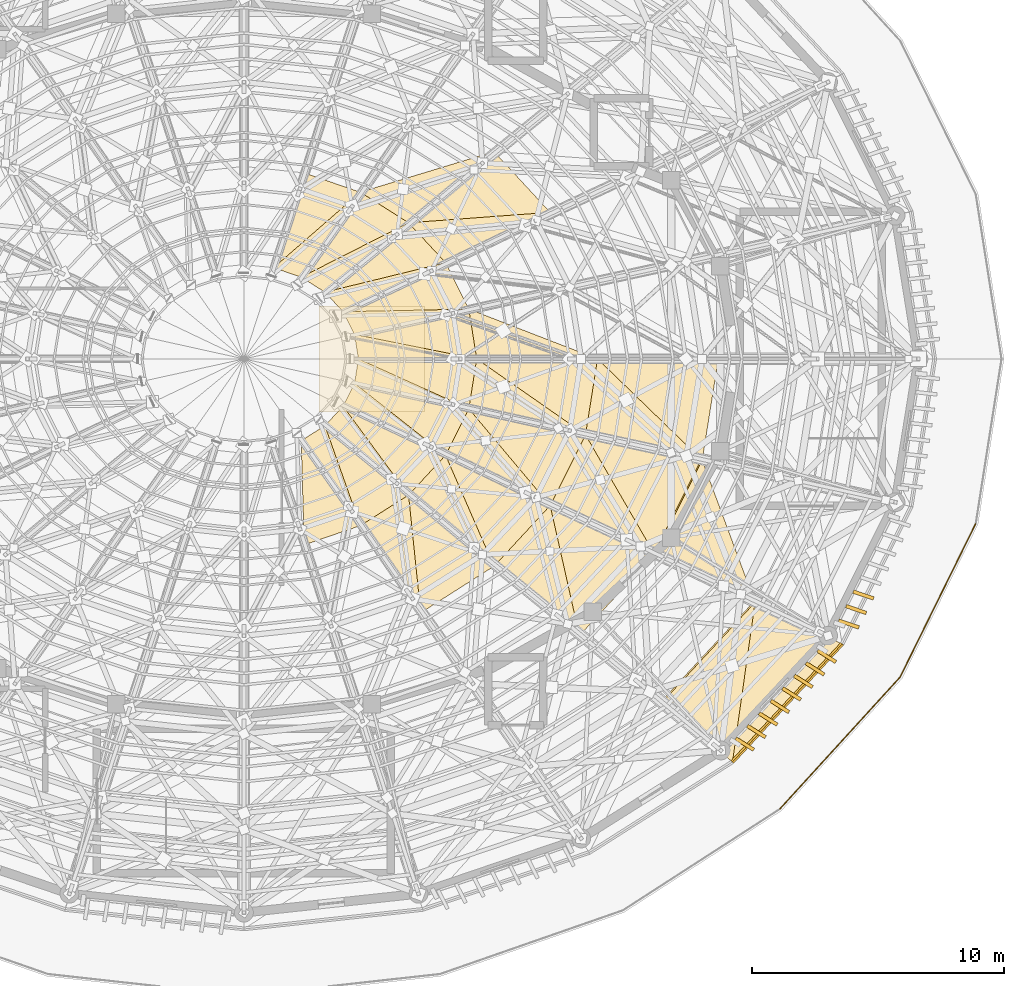
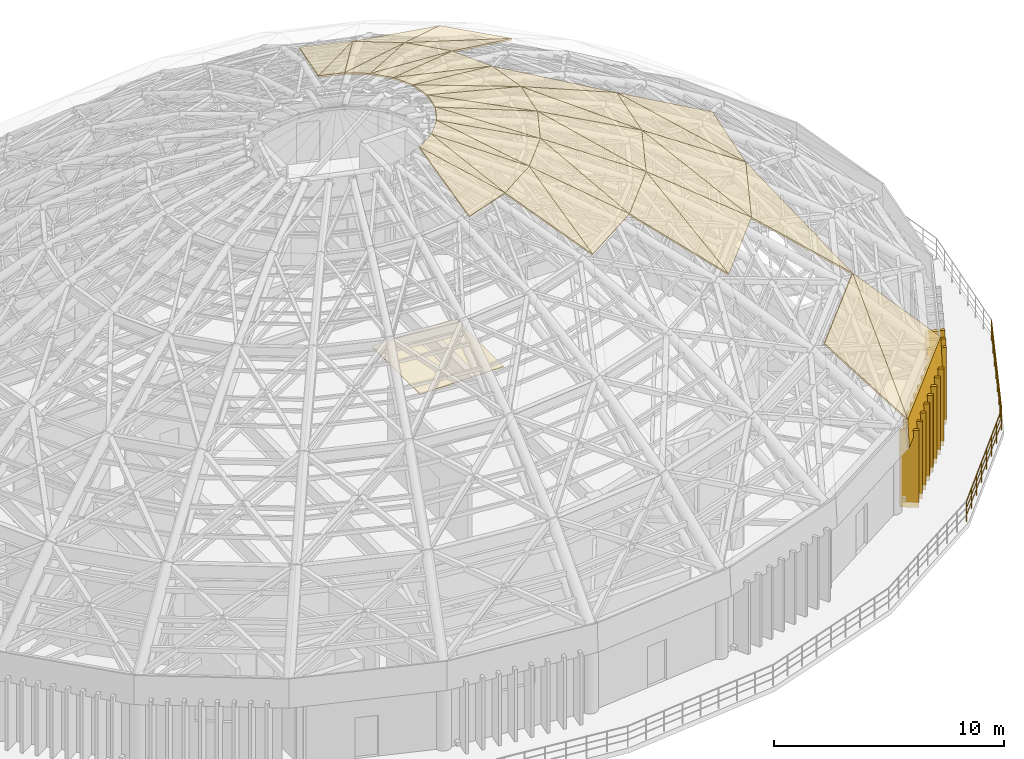
# One storey, part 46 of 50: 42 coverings, 11 shading devices, 2 railings, 6 elements without a shape of their own.
"""IFC4 building model written with IfcOpenShell, lengths in metres."""

from ifc_helpers import new_model, si_unit, direction, frame, origin, origin_2d, place, context, subcontext, project, spatial, polyline, rectangle, circle, outline, extrude, material, layer, layer_set, type_object, element, aggregate, save


model = new_model("IFC4")

# Units and contexts
model_context = context("Model", 3, precision=1e-05, world=origin(), true_north=direction((0.0, 1.0)))
body_context = subcontext(model_context, "Body", "Model", "MODEL_VIEW")
ifc_project = project(units=[si_unit("LENGTHUNIT", "METRE"), si_unit("AREAUNIT", "SQUARE_METRE"), si_unit("VOLUMEUNIT", "CUBIC_METRE"), si_unit("PLANEANGLEUNIT", "RADIAN"), si_unit("MASSUNIT", "GRAM", prefix="KILO")], contexts=[model_context])

# Site, building, storey
site_placement = place(None, origin())
site = spatial("IfcSite", under=ifc_project, at=site_placement, CompositionType="ELEMENT")
building_placement = place(site_placement, origin())
building = spatial("IfcBuilding", under=site, at=building_placement, Name="Cinderbank Siding Concert Hall", CompositionType="ELEMENT")
storey_placement = place(building_placement, frame((0.0, 0.0, 23.699951171875)))
storey = spatial("IfcBuildingStorey", under=building, at=storey_placement, Name="L06", CompositionType="ELEMENT", Elevation=23.699951171875)

# Covering
ifc_material_1 = material(Name="Spotted gum glulam timber GL18 (42 MPa)", Category="wood")
ifc_layer_1 = layer(ifc_material_1, 0.044921875)
ifc_layer_set_1 = layer_set([ifc_layer_1], Name="Spotted gum glulam timber GL18 (42 MPa)")
covering_type_1 = type_object("IfcCoveringType", Name="CLG-01 Perforated Timber Acoustic Ceiling", PredefinedType="CEILING", material=ifc_layer_set_1)
covering_1_placement = place(storey_placement, frame((127.072998046875, 44.0, 3.5595703125), z_axis=(0.0, 0.0, 1.0), x_axis=(1.0, 0.0, 0.0)))
element("IfcCovering", 1, at=covering_1_placement, inside=storey, type_object=covering_type_1, Name="Main Hall Timber Acoustic Reflector #3", PredefinedType="CEILING", context=body_context, shape_type="SweptSolid", body=[
    extrude(rectangle(XDim=4.199951171875, YDim=4.199951171875, at=origin_2d()), origin(), (0.0, 0.0, 1.0), 0.044921875),
])

# Railings
ifc_material_2 = material(Name="Structural steel AS/NZS 3679.1 Grade 350 (340 MPa)", Category="steel")
railing_type = type_object("IfcRailingType", Name="GD-01 Terrace & Perimeter Guardrail 1120mm", PredefinedType="GUARDRAIL", material=ifc_material_2)
railing_1_placement = place(storey_placement, frame((151.07470703125, 37.45654296875, 0.0)))
element("IfcRailing", 2, at=railing_1_placement, inside=storey, type_object=railing_type, Name="L06 Perimeter Guardrail #152", PredefinedType="GUARDRAIL", context=body_context, shape_type="SweptSolid", body=[
    extrude(circle(Radius=0.02392578125, at=origin_2d()), frame((0.0, 0.0, 1.09619140625), z_axis=(-0.441833864592, -0.897096893373, 0.0), x_axis=(0.897096893373, -0.441833864592, 0.0)), (0.0, 0.0, 1.0), 6.79931640625),
    extrude(circle(Radius=0.01611328125, at=origin_2d()), frame((0.0, 0.0, 0.36962890625), z_axis=(-0.441833864592, -0.897096893373, 0.0), x_axis=(0.897096893373, -0.441833864592, 0.0)), (0.0, 0.0, 1.0), 6.79931640625),
    extrude(circle(Radius=0.01611328125, at=origin_2d()), frame((0.0, 0.0, 0.7392578125), z_axis=(-0.441833864592, -0.897096893373, 0.0), x_axis=(0.897096893373, -0.441833864592, 0.0)), (0.0, 0.0, 1.0), 6.79931640625),
    extrude(circle(Radius=0.02099609375, at=origin_2d()), origin(), (0.0, 0.0, 1.0), 1.072021484375),
    extrude(circle(Radius=0.02099609375, at=origin_2d()), frame((-0.42919921875, -0.871337890625, 0.0)), (0.0, 0.0, 1.0), 1.072021484375),
    extrude(circle(Radius=0.02099609375, at=origin_2d()), frame((-0.8583984375, -1.74267578125, 0.0)), (0.0, 0.0, 1.0), 1.072021484375),
    extrude(circle(Radius=0.02099609375, at=origin_2d()), frame((-1.28759765625, -2.614013671875, 0.0)), (0.0, 0.0, 1.0), 1.072021484375),
    extrude(circle(Radius=0.02099609375, at=origin_2d()), frame((-1.716552734375, -3.485595703125, 0.0)), (0.0, 0.0, 1.0), 1.072021484375),
    extrude(circle(Radius=0.02099609375, at=origin_2d()), frame((-2.145751953125, -4.35693359375, 0.0)), (0.0, 0.0, 1.0), 1.072021484375),
    extrude(circle(Radius=0.02099609375, at=origin_2d()), frame((-2.574951171875, -5.228271484375, 0.0)), (0.0, 0.0, 1.0), 1.072021484375),
    extrude(circle(Radius=0.02099609375, at=origin_2d()), frame((-3.004150390625, -6.099609375, 0.0)), (0.0, 0.0, 1.0), 1.072021484375),
])
railing_2_placement = place(storey_placement, frame((148.070556640625, 31.35693359375, 0.0)))
element("IfcRailing", 3, at=railing_2_placement, inside=storey, type_object=railing_type, Name="L06 Perimeter Guardrail #153", PredefinedType="GUARDRAIL", context=body_context, shape_type="SweptSolid", body=[
    extrude(circle(Radius=0.02392578125, at=origin_2d()), frame((0.0, 0.0, 1.09619140625), z_axis=(-0.673978793804, -0.738750692387, 0.0), x_axis=(0.738750692387, -0.673978793804, 0.0)), (0.0, 0.0, 1.0), 7.09375),
    extrude(circle(Radius=0.01611328125, at=origin_2d()), frame((0.0, 0.0, 0.36962890625), z_axis=(-0.673978793804, -0.738750692387, 0.0), x_axis=(0.738750692387, -0.673978793804, 0.0)), (0.0, 0.0, 1.0), 7.09375),
    extrude(circle(Radius=0.01611328125, at=origin_2d()), frame((0.0, 0.0, 0.7392578125), z_axis=(-0.673978793804, -0.738750692387, 0.0), x_axis=(0.738750692387, -0.673978793804, 0.0)), (0.0, 0.0, 1.0), 7.09375),
    extrude(circle(Radius=0.02099609375, at=origin_2d()), origin(), (0.0, 0.0, 1.0), 1.072021484375),
    extrude(circle(Radius=0.02099609375, at=origin_2d()), frame((-0.68310546875, -0.74853515625, 0.0)), (0.0, 0.0, 1.0), 1.072021484375),
    extrude(circle(Radius=0.02099609375, at=origin_2d()), frame((-1.365966796875, -1.497314453125, 0.0)), (0.0, 0.0, 1.0), 1.072021484375),
    extrude(circle(Radius=0.02099609375, at=origin_2d()), frame((-2.049072265625, -2.245849609375, 0.0)), (0.0, 0.0, 1.0), 1.072021484375),
    extrude(circle(Radius=0.02099609375, at=origin_2d()), frame((-2.73193359375, -2.99462890625, 0.0)), (0.0, 0.0, 1.0), 1.072021484375),
    extrude(circle(Radius=0.02099609375, at=origin_2d()), frame((-3.4150390625, -3.7431640625, 0.0)), (0.0, 0.0, 1.0), 1.072021484375),
    extrude(circle(Radius=0.02099609375, at=origin_2d()), frame((-4.097900390625, -4.491943359375, 0.0)), (0.0, 0.0, 1.0), 1.072021484375),
    extrude(circle(Radius=0.02099609375, at=origin_2d()), frame((-4.781005859375, -5.240478515625, 0.0)), (0.0, 0.0, 1.0), 1.072021484375),
])

# Shading devices
ifc_material_3 = material(Name="Glazed architectural terracotta acoustic louvre unit", Category="masonry")
shading_device_type = type_object("IfcShadingDeviceType", Name="LV-02 Terracotta Louvre Blade 850x4050", PredefinedType="JALOUSIE", material=ifc_material_3)
for number, where, z_axis, x_axis, name in (
    (4, (141.898193359375, 28.6953125, -0.27490234375), (0.0, 0.0, 1.0), (0.846132246596, -0.532973002384, 0.0), "L06 Terracotta Louvre Blade #322"),
    (5, (142.364013671875, 29.193603515625, -0.27490234375), (0.0, 0.0, 1.0), (0.846132246596, -0.532973002384, 0.0), "L06 Terracotta Louvre Blade #323"),
    (6, (142.829833984375, 29.69189453125, -0.27490234375), (0.0, 0.0, 1.0), (0.846132246596, -0.532973002384, 0.0), "L06 Terracotta Louvre Blade #324"),
    (7, (143.295654296875, 30.190185546875, -0.27490234375), (0.0, 0.0, 1.0), (0.846132246596, -0.532973002384, 0.0), "L06 Terracotta Louvre Blade #325"),
    (8, (143.76123046875, 30.6884765625, -0.27490234375), (0.0, 0.0, 1.0), (0.846132246596, -0.532973002384, 0.0), "L06 Terracotta Louvre Blade #326"),
    (9, (144.22705078125, 31.186767578125, -0.27490234375), (0.0, 0.0, 1.0), (0.846132246596, -0.532973002384, 0.0), "L06 Terracotta Louvre Blade #327"),
    (10, (144.69287109375, 31.68505859375, -0.27490234375), (0.0, 0.0, 1.0), (0.846132246596, -0.532973002384, 0.0), "L06 Terracotta Louvre Blade #328"),
    (11, (145.15869140625, 32.18359375, -0.27490234375), (0.0, 0.0, 1.0), (0.846132246596, -0.532973002384, 0.0), "L06 Terracotta Louvre Blade #329"),
    (12, (146.0322265625, 33.4658203125, -0.27490234375), (0.0, 0.0, 1.0), (0.946765351164, -0.321924478466, 0.0), "L06 Terracotta Louvre Blade #330"),
    (13, (146.322998046875, 34.0419921875, -0.27490234375), (0.0, 0.0, 1.0), (0.946765351164, -0.321924478466, 0.0), "L06 Terracotta Louvre Blade #331"),
    (14, (146.61376953125, 34.6181640625, -0.27490234375), (0.0, 0.0, 1.0), (0.946765351164, -0.321924478466, 0.0), "L06 Terracotta Louvre Blade #332"),
):
    element("IfcShadingDevice", number, at=place(storey_placement, frame(where, z_axis=z_axis, x_axis=x_axis)), inside=storey, type_object=shading_device_type, Name=name, PredefinedType="JALOUSIE", context=body_context, shape_type="SweptSolid", body=[
        extrude(rectangle(XDim=0.85009765625, YDim=0.139892578125, at=origin_2d()), origin(), (0.0, 0.0, 1.0), 4.090087890625),
    ])

# Roof, coverings
ifc_material_4 = material(Name="Patinated sheet copper roofing", Category="metal")
roof_type = type_object("IfcRoofType", Name="RF-DM1 Schwedler Dome Sector Roof", PredefinedType="DOME_ROOF", material=ifc_material_4)
roof_1_placement = place(storey_placement, origin())
roof_1 = element("IfcRoof", 15, at=roof_1_placement, inside=storey, type_object=roof_type, Name="Schwedler Dome Roof Bay 01", PredefinedType="DOME_ROOF")
ifc_layer_2 = layer(ifc_material_4, 0.080078125)
ifc_layer_set_2 = layer_set([ifc_layer_2], Name="Patinated sheet copper roofing")
covering_type_2 = type_object("IfcCoveringType", Name="RC-01 Standing Seam Copper Roofing", PredefinedType="ROOFING", material=ifc_layer_set_2)
covering_2_placement = place(storey_placement, frame((136.050048828125, 44.0, 14.449951171875), z_axis=(0.383893213655, 0.061110498006, 0.921353085165), x_axis=(-0.876148790285, 0.339135485358, 0.342564475469)))
covering_2 = element("IfcCovering", 16, at=covering_2_placement, type_object=covering_type_2, Name="Dome Copper Facet B01-0-3-1", PredefinedType="ROOFING", context=body_context, shape_type="SweptSolid", body=[
    extrude(outline(polyline([(0.0, 0.0), (5.838316997886729, 3.885780586188048e-16), (4.890685925008665, 1.7668219874413866), (0.0, 0.0)])), origin(), (0.0, 0.0, -1.0), 0.080078125),
])
covering_3_placement = place(storey_placement, frame((131.25, 44.0, 16.449951171875), z_axis=(0.247206784089, 0.039351906074, 0.968163329913), x_axis=(-0.157206821331, 0.987565701777, 0.0)))
covering_3 = element("IfcCovering", 17, at=covering_3_placement, type_object=covering_type_2, Name="Dome Copper Facet B01-0-4-0", PredefinedType="ROOFING", context=body_context, shape_type="SweptSolid", body=[
    extrude(outline(polyline([(0.0, 0.0), (2.004910119080245, -5.551115123125783e-17), (1.7218691599744633, 4.794656952577999), (0.0, 0.0)])), origin(), (0.0, 0.0, -1.0), 0.080078125),
])
covering_4_placement = place(storey_placement, frame((131.25, 44.0, 16.449951171875), z_axis=(0.247230510444, 0.039484752045, 0.968151862603), x_axis=(-0.952991321116, 0.190540756952, 0.235588119009)))
covering_4 = element("IfcCovering", 18, at=covering_4_placement, type_object=covering_type_2, Name="Dome Copper Facet B01-0-4-1", PredefinedType="ROOFING", context=body_context, shape_type="SweptSolid", body=[
    extrude(outline(polyline([(0.0, 0.0), (5.094464515233737, 1.3877787807814457e-17), (4.76176443257958, 0.9249915106509029), (0.0, 0.0)])), origin(), (0.0, 0.0, -1.0), 0.080078125),
])
covering_5_placement = place(storey_placement, frame((130.934814453125, 45.97998046875, 16.449951171875), z_axis=(0.229815871271, 0.115105607088, 0.966403313596), x_axis=(-0.447828736575, 0.894119355957, 0.0)))
covering_5 = element("IfcCovering", 19, at=covering_5_placement, type_object=covering_type_2, Name="Dome Copper Facet B01-1-4-0", PredefinedType="ROOFING", context=body_context, shape_type="SweptSolid", body=[
    extrude(outline(polyline([(0.0, 0.0), (2.0634501320572003, 0.0), (2.1427639504531686, 4.669468013244266), (0.0, 0.0)])), origin(), (0.0, 0.0, -1.0), 0.080078125),
])
covering_6_placement = place(storey_placement, frame((130.934814453125, 45.97998046875, 16.449951171875), z_axis=(0.229796455971, 0.115518628784, 0.966358647308), x_axis=(-0.972116085434, -0.020433588343, 0.233608186733)))
covering_6 = element("IfcCovering", 20, at=covering_6_placement, type_object=covering_type_2, Name="Dome Copper Facet B01-1-4-1", PredefinedType="ROOFING", context=body_context, shape_type="SweptSolid", body=[
    extrude(outline(polyline([(0.0, 0.0), (5.137642345869653, -2.7755575615628914e-17), (4.714206276569281, 0.9192968287723315), (0.0, 0.0)])), origin(), (0.0, 0.0, -1.0), 0.080078125),
])
aggregate(roof_1, [covering_2, covering_3, covering_4, covering_5, covering_6])

roof_2_placement = place(storey_placement, origin())
roof_2 = element("IfcRoof", 21, at=roof_2_placement, inside=storey, type_object=roof_type, Name="Schwedler Dome Roof Bay 02", PredefinedType="DOME_ROOF")
covering_7_placement = place(storey_placement, frame((134.167724609375, 49.824951171875, 14.449951171875), z_axis=(0.303017367937, 0.280420605803, 0.910793477452), x_axis=(-0.679211050537, 0.733943014701, 0.0)))
covering_7 = element("IfcCovering", 22, at=covering_7_placement, type_object=covering_type_2, Name="Dome Copper Facet B02-0-3-0", PredefinedType="ROOFING", context=body_context, shape_type="SweptSolid", body=[
    extrude(outline(polyline([(0.0, 0.0), (3.287505635376368, 0.0), (3.5169153519905905, 4.844230676927359), (0.0, 0.0)])), origin(), (0.0, 0.0, -1.0), 0.080078125),
])
covering_8_placement = place(storey_placement, frame((134.167724609375, 49.824951171875, 14.449951171875), z_axis=(0.302917834305, 0.281027470007, 0.910639526246), x_axis=(-0.939978652188, -0.069413557186, 0.334098625422)))
covering_8 = element("IfcCovering", 23, at=covering_8_placement, type_object=covering_type_2, Name="Dome Copper Facet B02-0-3-1", PredefinedType="ROOFING", context=body_context, shape_type="SweptSolid", body=[
    extrude(outline(polyline([(0.0, 0.0), (5.986256296246528, 0.0), (4.714499099301068, 1.7475700553818045), (0.0, 0.0)])), origin(), (0.0, 0.0, -1.0), 0.080078125),
])
covering_9_placement = place(storey_placement, frame((130.0107421875, 47.824951171875, 16.449951171875), z_axis=(0.196573118195, 0.182367757265, 0.963379992689), x_axis=(-0.680121749574, 0.733099178663, 0.0)))
covering_9 = element("IfcCovering", 24, at=covering_9_placement, type_object=covering_type_2, Name="Dome Copper Facet B02-0-4-0", PredefinedType="ROOFING", context=body_context, shape_type="SweptSolid", body=[
    extrude(outline(polyline([(0.0, 0.0), (2.161334649342794, -2.220446049250313e-16), (2.399959906853288, 4.476004684203879), (0.0, 0.0)])), origin(), (0.0, 0.0, -1.0), 0.080078125),
])
covering_10_placement = place(storey_placement, frame((130.0107421875, 47.824951171875, 16.449951171875), z_axis=(0.196424689702, 0.182901581546, 0.963309063979), x_axis=(-0.94381290006, -0.231026015977, 0.236313752505)))
covering_10 = element("IfcCovering", 25, at=covering_10_placement, type_object=covering_type_2, Name="Dome Copper Facet B02-0-4-1", PredefinedType="ROOFING", context=body_context, shape_type="SweptSolid", body=[
    extrude(outline(polyline([(0.0, 0.0), (5.078821269499284, -2.220446049250313e-16), (4.575725553397122, 0.9343221438500278), (0.0, 0.0)])), origin(), (0.0, 0.0, -1.0), 0.080078125),
])
covering_11_placement = place(storey_placement, frame((131.934814453125, 52.23779296875, 14.449951171875), z_axis=(0.230047592211, 0.362559440867, 0.903121673506), x_axis=(-0.900159533116, -0.273412748897, 0.33905498622)))
covering_11 = element("IfcCovering", 26, at=covering_11_placement, type_object=covering_type_2, Name="Dome Copper Facet B02-1-3-1", PredefinedType="ROOFING", context=body_context, shape_type="SweptSolid", body=[
    extrude(outline(polyline([(0.0, 0.0), (5.898748230486243, 2.220446049250313e-16), (4.506602288200087, 1.7915734663560021), (0.0, 0.0)])), origin(), (0.0, 0.0, -1.0), 0.080078125),
])
covering_12_placement = place(storey_placement, frame((128.540771484375, 49.409423828125, 16.449951171875), z_axis=(0.150149457061, 0.236638439357, 0.959925720857), x_axis=(-0.844369673606, 0.535761004828, 0.0)))
covering_12 = element("IfcCovering", 27, at=covering_12_placement, type_object=covering_type_2, Name="Dome Copper Facet B02-1-4-0", PredefinedType="ROOFING", context=body_context, shape_type="SweptSolid", body=[
    extrude(outline(polyline([(0.0, 0.0), (2.2688776542543385, 1.1102230246251565e-16), (2.443727443644661, 4.282518626446458), (0.0, 0.0)])), origin(), (0.0, 0.0, -1.0), 0.080078125),
])
covering_13_placement = place(storey_placement, frame((128.540771484375, 49.409423828125, 16.449951171875), z_axis=(0.149914933589, 0.237063352582, 0.959857530861), x_axis=(-0.865165600369, -0.438450259902, 0.243412928027)))
covering_13 = element("IfcCovering", 28, at=covering_13_placement, type_object=covering_type_2, Name="Dome Copper Facet B02-1-4-1", PredefinedType="ROOFING", context=body_context, shape_type="SweptSolid", body=[
    extrude(outline(polyline([(0.0, 0.0), (4.930696665247511, 3.0531133177191805e-16), (4.376672706994851, 0.9676238744385034), (0.0, 0.0)])), origin(), (0.0, 0.0, -1.0), 0.080078125),
])
aggregate(roof_2, [covering_7, covering_8, covering_9, covering_10, covering_11, covering_12, covering_13])

roof_3_placement = place(storey_placement, origin())
roof_3 = element("IfcRoof", 29, at=roof_3_placement, inside=storey, type_object=roof_type, Name="Schwedler Dome Roof Bay 03", PredefinedType="DOME_ROOF")
covering_14_placement = place(storey_placement, frame((126.625, 50.625, 16.449951171875), z_axis=(0.094058710851, 0.274515649875, 0.956971325008), x_axis=(-0.946010356205, 0.324136400227, 0.0)))
covering_14 = element("IfcCovering", 30, at=covering_14_placement, type_object=covering_type_2, Name="Dome Copper Facet B03-0-4-0", PredefinedType="ROOFING", context=body_context, shape_type="SweptSolid", body=[
    extrude(outline(polyline([(0.0, 0.0), (2.358279712918885, -1.1102230246251565e-16), (2.2881002572208557, 4.136001701951366), (0.0, 0.0)])), origin(), (0.0, 0.0, -1.0), 0.080078125),
])
covering_15_placement = place(storey_placement, frame((126.625, 50.625, 16.449951171875), z_axis=(0.09382830832, 0.274761072248, 0.956923508821), x_axis=(-0.729365687205, -0.635257317961, 0.253916983096)))
covering_15 = element("IfcCovering", 31, at=covering_15_placement, type_object=covering_type_2, Name="Dome Copper Facet B03-0-4-1", PredefinedType="ROOFING", context=body_context, shape_type="SweptSolid", body=[
    extrude(outline(polyline([(0.0, 0.0), (4.726723269416006, 1.6653345369377348e-16), (4.164374934231615, 1.014159574156911), (0.0, 0.0)])), origin(), (0.0, 0.0, -1.0), 0.080078125),
])
aggregate(roof_3, [covering_14, covering_15])

# Roof, covering
roof_4_placement = place(storey_placement, origin())
roof_4 = element("IfcRoof", 32, at=roof_4_placement, inside=storey, type_object=roof_type, Name="Schwedler Dome Roof Bay 10", PredefinedType="DOME_ROOF")
covering_16_placement = place(storey_placement, frame((124.39404296875, 36.610595703125, 16.449951171875), z_axis=(0.094084578228, -0.274591145273, 0.956947122404), x_axis=(0.946010356205, 0.324136400227, 0.0)))
covering_16 = element("IfcCovering", 33, at=covering_16_placement, type_object=covering_type_2, Name="Dome Copper Facet B10-1-4-0", PredefinedType="ROOFING", context=body_context, shape_type="SweptSolid", body=[
    extrude(outline(polyline([(0.0, 0.0), (2.358279712918885, 1.1102230246251565e-16), (1.2298146914137886, 4.134864560049119), (0.0, 0.0)])), origin(), (0.0, 0.0, -1.0), 0.080078125),
])
aggregate(roof_4, [covering_16])

# Roof, coverings
roof_5_placement = place(storey_placement, origin())
roof_5 = element("IfcRoof", 34, at=roof_5_placement, inside=storey, type_object=roof_type, Name="Schwedler Dome Roof Bay 11", PredefinedType="DOME_ROOF")
covering_17_placement = place(storey_placement, frame((129.02490234375, 33.910888671875, 14.449951171875), z_axis=(0.230413817419, -0.362165671873, 0.903186303516), x_axis=(0.843719778593, 0.536783881288, 0.0)))
covering_17 = element("IfcCovering", 35, at=covering_17_placement, type_object=covering_type_2, Name="Dome Copper Facet B11-0-3-0", PredefinedType="ROOFING", context=body_context, shape_type="SweptSolid", body=[
    extrude(outline(polyline([(0.0, 0.0), (3.4489082550926464, 2.220446049250313e-16), (2.1035100379831286, 4.6593028777661205), (0.0, 0.0)])), origin(), (0.0, 0.0, -1.0), 0.080078125),
])
covering_18_placement = place(storey_placement, frame((129.02490234375, 33.910888671875, 14.449951171875), z_axis=(0.229861294439, -0.362265831987, 0.903286915821), x_axis=(-0.094702404195, 0.915408816746, 0.391226472599)))
covering_18 = element("IfcCovering", 36, at=covering_18_placement, type_object=covering_type_2, Name="Dome Copper Facet B11-0-3-1", PredefinedType="ROOFING", context=body_context, shape_type="SweptSolid", body=[
    extrude(outline(polyline([(0.0, 0.0), (5.1121284986447115, 1.6653345369377348e-16), (4.180807518941852, 2.0689241268688368), (0.0, 0.0)])), origin(), (0.0, 0.0, -1.0), 0.080078125),
])
covering_19_placement = place(storey_placement, frame((126.625, 37.375, 16.449951171875), z_axis=(0.150206429186, -0.236728228525, 0.959894668415), x_axis=(0.844369673606, 0.535761004828, 0.0)))
covering_19 = element("IfcCovering", 37, at=covering_19_placement, type_object=covering_type_2, Name="Dome Copper Facet B11-0-4-0", PredefinedType="ROOFING", context=body_context, shape_type="SweptSolid", body=[
    extrude(outline(polyline([(0.0, 0.0), (2.2688776542543385, -1.1102230246251565e-16), (0.9401549842680621, 4.280894300587385), (0.0, 0.0)])), origin(), (0.0, 0.0, -1.0), 0.080078125),
])
covering_20_placement = place(storey_placement, frame((126.625, 37.375, 16.449951171875), z_axis=(0.149799223981, -0.236880378766, 0.959920766861), x_axis=(-0.321182298799, 0.906562940159, 0.273834925581)))
covering_20 = element("IfcCovering", 38, at=covering_20_placement, type_object=covering_type_2, Name="Dome Copper Facet B11-0-4-1", PredefinedType="ROOFING", context=body_context, shape_type="SweptSolid", body=[
    extrude(outline(polyline([(0.0, 0.0), (4.382915400420778, -1.249000902703301e-16), (4.145328373183575, 1.089399335959919), (0.0, 0.0)])), origin(), (0.0, 0.0, -1.0), 0.080078125),
])
covering_21_placement = place(storey_placement, frame((141.459716796875, 27.9345703125, 3.449951171875), z_axis=(0.731684709213, -0.68005292688, 0.046534964775), x_axis=(0.680790453732, 0.732478230466, -1.439e-08)))
covering_21 = element("IfcCovering", 39, at=covering_21_placement, type_object=covering_type_2, Name="Dome Springing Copper Fascia B11-1", PredefinedType="ROOFING", context=body_context, shape_type="SweptSolid", body=[
    extrude(outline(polyline([(0.0, 0.0), (6.423840901729181, 0.0), (6.407221492268987, 1.5016268620671551), (0.0023828252039628677, 1.501626677264381), (0.0, 0.0)])), origin(), (0.0, 0.0, -1.0), 0.080078125),
])
covering_22_placement = place(storey_placement, frame((141.41015625, 27.98388671875, 4.949951171875), z_axis=(0.513506426374, -0.477508864244, 0.712949110835), x_axis=(0.680972790653, 0.732308717953, 0.0)))
covering_22 = element("IfcCovering", 40, at=covering_22_placement, type_object=covering_type_2, Name="Dome Copper Facet B11-1-0-0", PredefinedType="ROOFING", context=body_context, shape_type="SweptSolid", body=[
    extrude(outline(polyline([(0.0, 0.0), (6.405989706752592, 0.0), (5.255262018607522, 5.134079660448282), (0.0, 0.0)])), origin(), (0.0, 0.0, -1.0), 0.080078125),
])
covering_23_placement = place(storey_placement, frame((141.41015625, 27.98388671875, 4.949951171875), z_axis=(0.513514338157, -0.477507332174, 0.712944438388), x_axis=(0.122255179374, 0.86309697578, 0.490017633883)))
covering_23 = element("IfcCovering", 41, at=covering_23_placement, type_object=covering_type_2, Name="Dome Copper Facet B11-1-0-1", PredefinedType="ROOFING", context=body_context, shape_type="SweptSolid", body=[
    extrude(outline(polyline([(0.0, 0.0), (7.346873678242165, -2.220446049250313e-16), (3.4323619801482543, 3.824195390792135), (0.0, 0.0)])), origin(), (0.0, 0.0, -1.0), 0.080078125),
])
covering_24_placement = place(storey_placement, frame((135.3291015625, 33.00439453125, 11.75), z_axis=(0.384747544598, -0.357857214389, 0.850827562456), x_axis=(0.681055500194, 0.732231797763, 0.0)))
covering_24 = element("IfcCovering", 42, at=covering_24_placement, type_object=covering_type_2, Name="Dome Copper Facet B11-1-2-0", PredefinedType="ROOFING", context=body_context, shape_type="SweptSolid", body=[
    extrude(outline(polyline([(0.0, 0.0), (4.398474820183659, -2.220446049250313e-16), (2.9951553296895854, 5.138408621994076), (0.0, 0.0)])), origin(), (0.0, 0.0, -1.0), 0.080078125),
])
covering_25_placement = place(storey_placement, frame((135.3291015625, 33.00439453125, 11.75), z_axis=(0.386129274002, -0.357334649401, 0.850421149841), x_axis=(-0.195267469625, 0.869365091275, 0.453954792219)))
covering_25 = element("IfcCovering", 43, at=covering_25_placement, type_object=covering_type_2, Name="Dome Copper Facet B11-1-2-1", PredefinedType="ROOFING", context=body_context, shape_type="SweptSolid", body=[
    extrude(outline(polyline([(0.0, 0.0), (5.947621256901871, -3.3306690738754696e-16), (4.2859955440413735, 2.836669401427001), (0.0, 0.0)])), origin(), (0.0, 0.0, -1.0), 0.080078125),
])
covering_26_placement = place(storey_placement, frame((131.934814453125, 35.76220703125, 14.449951171875), z_axis=(0.303170315783, -0.280562147946, 0.910698984719), x_axis=(0.679211050537, 0.733943014701, 0.0)))
covering_26 = element("IfcCovering", 44, at=covering_26_placement, type_object=covering_type_2, Name="Dome Copper Facet B11-1-3-0", PredefinedType="ROOFING", context=body_context, shape_type="SweptSolid", body=[
    extrude(outline(polyline([(0.0, 0.0), (3.287505635376368, 0.0), (1.9319232669533823, 4.84178678776735), (0.0, 0.0)])), origin(), (0.0, 0.0, -1.0), 0.080078125),
])
covering_27_placement = place(storey_placement, frame((131.934814453125, 35.76220703125, 14.449951171875), z_axis=(0.302685382474, -0.280811816314, 0.910783334858), x_axis=(-0.369092134932, 0.84650936923, 0.383657247731)))
covering_27 = element("IfcCovering", 45, at=covering_27_placement, type_object=covering_type_2, Name="Dome Copper Facet B11-1-3-1", PredefinedType="ROOFING", context=body_context, shape_type="SweptSolid", body=[
    extrude(outline(polyline([(0.0, 0.0), (5.212986361731085, 1.1102230246251565e-16), (4.414270038030822, 2.008337546505685), (0.0, 0.0)])), origin(), (0.0, 0.0, -1.0), 0.080078125),
])
covering_28_placement = place(storey_placement, frame((128.540771484375, 38.590576171875, 16.449951171875), z_axis=(0.196655501598, -0.18244418723, 0.963348707497), x_axis=(0.680121749574, 0.733099178663, 0.0)))
covering_28 = element("IfcCovering", 46, at=covering_28_placement, type_object=covering_type_2, Name="Dome Copper Facet B11-1-4-0", PredefinedType="ROOFING", context=body_context, shape_type="SweptSolid", body=[
    extrude(outline(polyline([(0.0, 0.0), (2.161334649342794, 0.0), (0.822534193066963, 4.474129585380327), (0.0, 0.0)])), origin(), (0.0, 0.0, -1.0), 0.080078125),
])
covering_29_placement = place(storey_placement, frame((128.540771484375, 38.590576171875, 16.449951171875), z_axis=(0.196257079135, -0.182745510342, 0.963372844406), x_axis=(-0.571615553869, 0.776948490598, 0.263830819906)))
covering_29 = element("IfcCovering", 47, at=covering_29_placement, type_object=covering_type_2, Name="Dome Copper Facet B11-1-4-1", PredefinedType="ROOFING", context=body_context, shape_type="SweptSolid", body=[
    extrude(outline(polyline([(0.0, 0.0), (4.549109588209529, 0.0), (4.359083250799159, 1.0440082179462282), (0.0, 0.0)])), origin(), (0.0, 0.0, -1.0), 0.080078125),
])
aggregate(roof_5, [covering_17, covering_18, covering_19, covering_20, covering_21, covering_22, covering_23, covering_24, covering_25, covering_26, covering_27, covering_28, covering_29])

roof_6_placement = place(storey_placement, origin())
roof_6 = element("IfcRoof", 48, at=roof_6_placement, inside=storey, type_object=roof_type, Name="Schwedler Dome Roof Bay 12", PredefinedType="DOME_ROOF")
covering_30_placement = place(storey_placement, frame((142.308349609375, 34.324951171875, 8.550048828125), z_axis=(0.524634631634, -0.263427310318, 0.809545894604), x_axis=(-0.307783319878, 0.82790994366, 0.468865175923)))
covering_30 = element("IfcCovering", 49, at=covering_30_placement, type_object=covering_type_2, Name="Dome Copper Facet B12-0-1-1", PredefinedType="ROOFING", context=body_context, shape_type="SweptSolid", body=[
    extrude(outline(polyline([(0.0, 0.0), (6.824885566681308, 0.0), (4.299594575873313, 3.3515875100969743), (0.0, 0.0)])), origin(), (0.0, 0.0, -1.0), 0.080078125),
])
covering_31_placement = place(storey_placement, frame((138.32470703125, 36.22509765625, 11.75), z_axis=(0.452627961148, -0.22727162713, 0.86225027474), x_axis=(0.448725579477, 0.893669600201, 0.0)))
covering_31 = element("IfcCovering", 50, at=covering_31_placement, type_object=covering_type_2, Name="Dome Copper Facet B12-0-2-0", PredefinedType="ROOFING", context=body_context, shape_type="SweptSolid", body=[
    extrude(outline(polyline([(0.0, 0.0), (4.196454864060145, 0.0), (3.0181287695728045, 5.3307892826816135), (0.0, 0.0)])), origin(), (0.0, 0.0, -1.0), 0.080078125),
])
covering_32_placement = place(storey_placement, frame((138.32470703125, 36.22509765625, 11.75), z_axis=(0.453558010742, -0.226562255952, 0.861948185838), x_axis=(-0.449472991079, 0.776992856365, 0.440744973253)))
covering_32 = element("IfcCovering", 51, at=covering_32_placement, type_object=covering_type_2, Name="Dome Copper Facet B12-0-2-1", PredefinedType="ROOFING", context=body_context, shape_type="SweptSolid", body=[
    extrude(outline(polyline([(0.0, 0.0), (6.125880805735303, 1.1102230246251565e-16), (4.573539360864835, 2.730437048093893), (0.0, 0.0)])), origin(), (0.0, 0.0, -1.0), 0.080078125),
])
covering_33_placement = place(storey_placement, frame((134.167724609375, 38.175048828125, 14.449951171875), z_axis=(0.356024939339, -0.177842330025, 0.917397595495), x_axis=(0.446871549443, 0.894598132291, 0.0)))
covering_33 = element("IfcCovering", 52, at=covering_33_placement, type_object=covering_type_2, Name="Dome Copper Facet B12-0-3-0", PredefinedType="ROOFING", context=body_context, shape_type="SweptSolid", body=[
    extrude(outline(polyline([(0.0, 0.0), (3.1408677837607595, -2.220446049250313e-16), (1.995008038995129, 5.02548014727138), (0.0, 0.0)])), origin(), (0.0, 0.0, -1.0), 0.080078125),
])
covering_34_placement = place(storey_placement, frame((134.167724609375, 38.175048828125, 14.449951171875), z_axis=(0.35569592618, -0.178153907714, 0.917464764046), x_axis=(-0.597913438887, 0.71111152009, 0.369891775515)))
covering_34 = element("IfcCovering", 53, at=covering_34_placement, type_object=covering_type_2, Name="Dome Copper Facet B12-0-3-1", PredefinedType="ROOFING", context=body_context, shape_type="SweptSolid", body=[
    extrude(outline(polyline([(0.0, 0.0), (5.406986941566806, 1.1102230246251565e-16), (4.647522246465912, 1.918603613147381), (0.0, 0.0)])), origin(), (0.0, 0.0, -1.0), 0.080078125),
])
covering_35_placement = place(storey_placement, frame((130.0107421875, 40.175048828125, 16.449951171875), z_axis=(0.229886640223, -0.115141052434, 0.966382259094), x_axis=(0.447828736575, 0.894119355957, 0.0)))
covering_35 = element("IfcCovering", 54, at=covering_35_placement, type_object=covering_type_2, Name="Dome Copper Facet B12-0-4-0", PredefinedType="ROOFING", context=body_context, shape_type="SweptSolid", body=[
    extrude(outline(polyline([(0.0, 0.0), (2.0634501320572003, 0.0), (0.9328139164596922, 4.668030551037066), (0.0, 0.0)])), origin(), (0.0, 0.0, -1.0), 0.080078125),
])
covering_36_placement = place(storey_placement, frame((130.0107421875, 40.175048828125, 16.449951171875), z_axis=(0.229652232559, -0.115446127706, 0.966401595445), x_axis=(-0.759554461714, 0.599591574065, 0.252124897622)))
covering_36 = element("IfcCovering", 55, at=covering_36_placement, type_object=covering_type_2, Name="Dome Copper Facet B12-0-4-1", PredefinedType="ROOFING", context=body_context, shape_type="SweptSolid", body=[
    extrude(outline(polyline([(0.0, 0.0), (4.760320475362587, 2.498001805406602e-16), (4.563397432729729, 0.9927870262325311), (0.0, 0.0)])), origin(), (0.0, 0.0, -1.0), 0.080078125),
])
covering_37_placement = place(storey_placement, frame((140.207763671875, 39.975341796875, 11.75), z_axis=(0.488756890138, -0.078005421775, 0.868925691021), x_axis=(0.157604997343, 0.987502235346, 0.0)))
covering_37 = element("IfcCovering", 56, at=covering_37_placement, type_object=covering_type_2, Name="Dome Copper Facet B12-1-2-0", PredefinedType="ROOFING", context=body_context, shape_type="SweptSolid", body=[
    extrude(outline(polyline([(0.0, 0.0), (4.075594017988595, 0.0), (3.3190823351871432, 5.455079757132639), (0.0, 0.0)])), origin(), (0.0, 0.0, -1.0), 0.080078125),
])
covering_38_placement = place(storey_placement, frame((140.207763671875, 39.975341796875, 11.75), z_axis=(0.489024085718, -0.077649897335, 0.868807192092), x_axis=(-0.651121387872, 0.630283974109, 0.422827447356)))
covering_38 = element("IfcCovering", 57, at=covering_38_placement, type_object=covering_type_2, Name="Dome Copper Facet B12-1-2-1", PredefinedType="ROOFING", context=body_context, shape_type="SweptSolid", body=[
    extrude(outline(polyline([(0.0, 0.0), (6.385468088122407, -2.220446049250313e-16), (4.796806457599074, 2.6069933965468284), (0.0, 0.0)])), origin(), (0.0, 0.0, -1.0), 0.080078125),
])
covering_39_placement = place(storey_placement, frame((135.5712890625, 40.98486328125, 14.449951171875), z_axis=(0.38389681849, -0.060957219519, 0.921361736856), x_axis=(0.156820785113, 0.987627076055, 0.0)))
covering_39 = element("IfcCovering", 58, at=covering_39_placement, type_object=covering_type_2, Name="Dome Copper Facet B12-1-3-0", PredefinedType="ROOFING", context=body_context, shape_type="SweptSolid", body=[
    extrude(outline(polyline([(0.0, 0.0), (3.0529101437703376, 0.0), (2.300162717963835, 5.145273565645064), (0.0, 0.0)])), origin(), (0.0, 0.0, -1.0), 0.080078125),
])
covering_40_placement = place(storey_placement, frame((135.5712890625, 40.98486328125, 14.449951171875), z_axis=(0.383811191912, -0.061097441277, 0.921388122146), x_axis=(-0.766728666461, 0.534977346372, 0.35486108676)))
covering_40 = element("IfcCovering", 59, at=covering_40_placement, type_object=covering_type_2, Name="Dome Copper Facet B12-1-3-1", PredefinedType="ROOFING", context=body_context, shape_type="SweptSolid", body=[
    extrude(outline(polyline([(0.0, 0.0), (5.6360082145465915, 5.551115123125783e-16), (4.818425311549058, 1.8306345299694557), (0.0, 0.0)])), origin(), (0.0, 0.0, -1.0), 0.080078125),
])
covering_41_placement = place(storey_placement, frame((130.934814453125, 42.02001953125, 16.449951171875), z_axis=(0.247231768345, -0.039355883222, 0.96815678853), x_axis=(0.157206821331, 0.987565701777, 0.0)))
covering_41 = element("IfcCovering", 60, at=covering_41_placement, type_object=covering_type_2, Name="Dome Copper Facet B12-1-4-0", PredefinedType="ROOFING", context=body_context, shape_type="SweptSolid", body=[
    extrude(outline(polyline([(0.0, 0.0), (2.004910119080245, 0.0), (1.2660457349387788, 4.794172423683092), (0.0, 0.0)])), origin(), (0.0, 0.0, -1.0), 0.080078125),
])
covering_42_placement = place(storey_placement, frame((130.934814453125, 42.02001953125, 16.449951171875), z_axis=(0.24717955505, -0.039476614048, 0.968165205173), x_axis=(-0.884288460866, 0.399308430825, 0.242046886059)))
covering_42 = element("IfcCovering", 61, at=covering_42_placement, type_object=covering_type_2, Name="Dome Copper Facet B12-1-4-1", PredefinedType="ROOFING", context=body_context, shape_type="SweptSolid", body=[
    extrude(outline(polyline([(0.0, 0.0), (4.9585240778844755, -5.551115123125783e-17), (4.708004754566165, 0.9505465314325534), (0.0, 0.0)])), origin(), (0.0, 0.0, -1.0), 0.080078125),
])
aggregate(roof_6, [covering_30, covering_31, covering_32, covering_33, covering_34, covering_35, covering_36, covering_37, covering_38, covering_39, covering_40, covering_41, covering_42])

save(model, "model.ifc")
